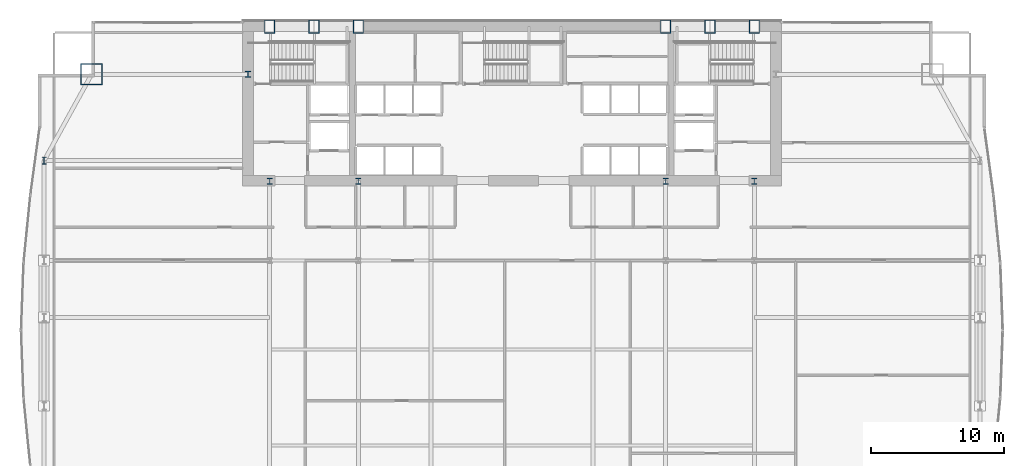
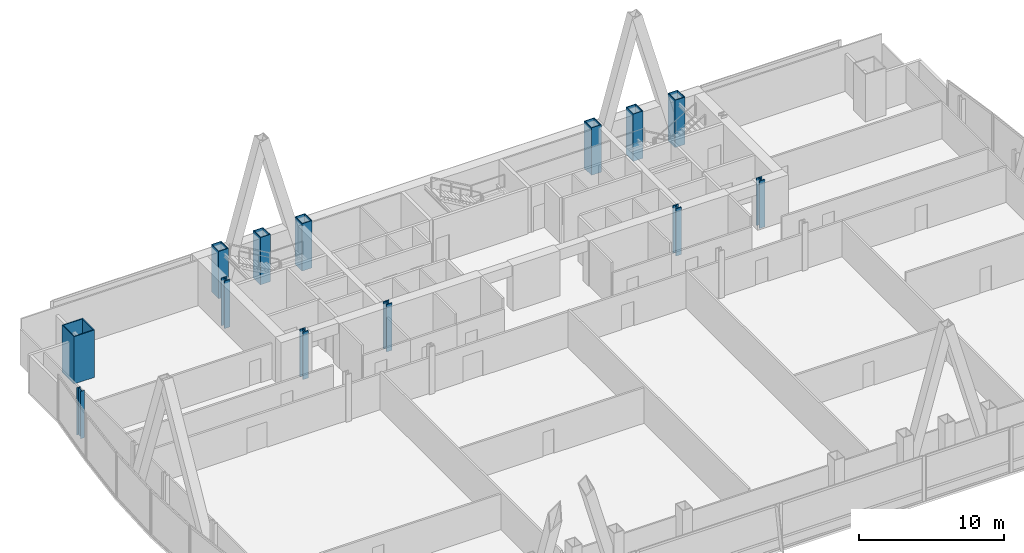
# One storey, part 3 of 35: 13 columns.
"""IFC4 building model written with IfcOpenShell, lengths in metres."""

from ifc_helpers import new_model, si_unit, direction, frame, origin, origin_2d, place, context, subcontext, project, spatial, hollow_rectangle, i_section, extrude, material, material_profile, profile_set, type_object, element, save


model = new_model("IFC4")

# Units and contexts
model_context = context("Model", 3, precision=1e-05, world=origin(), true_north=direction((0.0, 1.0)))
body_context = subcontext(model_context, "Body", "Model", "MODEL_VIEW")
ifc_project = project(units=[si_unit("LENGTHUNIT", "METRE"), si_unit("AREAUNIT", "SQUARE_METRE"), si_unit("VOLUMEUNIT", "CUBIC_METRE"), si_unit("PLANEANGLEUNIT", "RADIAN"), si_unit("MASSUNIT", "GRAM", prefix="KILO")], contexts=[model_context])

# Site, building, storey
site_placement = place(None, origin())
site = spatial("IfcSite", under=ifc_project, at=site_placement, CompositionType="ELEMENT")
building_placement = place(site_placement, origin())
building = spatial("IfcBuilding", under=site, at=building_placement, Name="Khoronbel Lancet Exchange", CompositionType="ELEMENT")
storey_placement = place(building_placement, frame((0.0, 0.0, 37.800048828125)))
storey = spatial("IfcBuildingStorey", under=building, at=storey_placement, Name="L08", CompositionType="ELEMENT", Elevation=37.800048828125)

# Columns
ifc_material_1 = material(Name="Steel S460", Category="steel")
ifc_material_profile_1 = material_profile(ifc_material_1, hollow_rectangle(XDim=0.800048828125, YDim=1.0, WallThickness=0.054931640625, at=origin_2d()), Name="BOX 1000x800x55")
ifc_profile_set_1 = profile_set([ifc_material_profile_1], Name="Steel S460")
column_type_1 = type_object("IfcColumnType", Name="COL-EC1", PredefinedType="COLUMN", material=ifc_profile_set_1)
for number, where, z_axis, x_axis, name in (
    (1, (18.22509765625, 53.280029296875, 0.0), (0.0, 0.0, 1.0), (1.0, 0.0, 0.0), "Structural column NC-W1 L08"),
    (2, (21.5625, 53.280029296875, 0.0), (0.0, 0.0, 1.0), (1.0, 0.0, 0.0), "Structural column NC-WM L08"),
    (3, (24.89990234375, 53.280029296875, 0.0), (0.0, 0.0, 1.0), (1.0, 0.0, 0.0), "Structural column NC-W2 L08"),
    (4, (48.0, 53.280029296875, 0.0), (0.0, 0.0, 1.0), (1.0, 0.0, 0.0), "Structural column NC-E1 L08"),
    (5, (51.33740234375, 53.280029296875, 0.0), (0.0, 0.0, 1.0), (1.0, 0.0, 0.0), "Structural column NC-EM L08"),
    (6, (54.675048828125, 53.280029296875, 0.0), (0.0, 0.0, 1.0), (1.0, 0.0, 0.0), "Structural column NC-E2 L08"),
):
    element("IfcColumn", number, at=place(storey_placement, frame(where, z_axis=z_axis, x_axis=x_axis)), inside=storey, type_object=column_type_1, Name=name, PredefinedType="COLUMN", context=body_context, shape_type="SweptSolid", body=[
        extrude(hollow_rectangle(XDim=0.800048828125, YDim=1.0, WallThickness=0.054931640625, at=origin_2d()), origin(), (0.0, 0.0, 1.0), 4.0),
    ])
ifc_material_profile_2 = material_profile(ifc_material_1, i_section(OverallWidth=0.424072265625, OverallDepth=0.47412109375, WebThickness=0.047607421875, FlangeThickness=0.076904296875, at=origin_2d()), Name="HD 400x634")
ifc_profile_set_2 = profile_set([ifc_material_profile_2], Name="Steel S460")
column_type_2 = type_object("IfcColumnType", Name="COL-IC1", PredefinedType="COLUMN", material=ifc_profile_set_2)
for number, where, z_axis, x_axis, name in (
    (7, (16.60009765625, 49.699951171875, 0.0), (0.0, 0.0, 1.0), (1.0, 0.0, 0.0), "Core-flank plumb transfer column CFW L08"),
    (8, (18.22509765625, 41.64990234375, 0.0), (0.0, 0.0, 1.0), (1.0, 0.0, 0.0), "Core-embedded steel column CTC1 L08"),
    (9, (24.89990234375, 41.64990234375, 0.0), (0.0, 0.0, 1.0), (1.0, 0.0, 0.0), "Core-embedded steel column CTC2 L08"),
    (10, (48.0, 41.64990234375, 0.0), (0.0, 0.0, 1.0), (1.0, 0.0, 0.0), "Core-embedded steel column CTC3 L08"),
    (11, (54.675048828125, 41.64990234375, 0.0), (0.0, 0.0, 1.0), (1.0, 0.0, 0.0), "Core-embedded steel column CTC4 L08"),
):
    element("IfcColumn", number, at=place(storey_placement, frame(where, z_axis=z_axis, x_axis=x_axis)), inside=storey, type_object=column_type_2, Name=name, PredefinedType="COLUMN", context=body_context, shape_type="SweptSolid", body=[
        extrude(i_section(OverallWidth=0.424072265625, OverallDepth=0.47412109375, WebThickness=0.047607421875, FlangeThickness=0.076904296875, at=origin_2d()), origin(), (0.0, 0.0, 1.0), 4.0),
    ])
ifc_material_2 = material(Name="Steel S355", Category="steel")
ifc_material_profile_3 = material_profile(ifc_material_2, i_section(OverallWidth=0.300048828125, OverallDepth=0.550048828125, WebThickness=0.014892578125, FlangeThickness=0.029052734375, at=origin_2d()), Name="HEB 550")
ifc_profile_set_3 = profile_set([ifc_material_profile_3], Name="Steel S355")
column_type_3 = type_object("IfcColumnType", Name="COL-LC1", PredefinedType="COLUMN", material=ifc_profile_set_3)
column_1_placement = place(storey_placement, frame((1.27001953125, 43.199951171875, 0.0), z_axis=(0.0, 0.0, 1.0), x_axis=(1.0, 0.0, 0.0)))
element("IfcColumn", 12, at=column_1_placement, inside=storey, type_object=column_type_3, Name="Structural column WC-4 L08", PredefinedType="COLUMN", context=body_context, shape_type="SweptSolid", body=[
    extrude(i_section(OverallWidth=0.300048828125, OverallDepth=0.550048828125, WebThickness=0.014892578125, FlangeThickness=0.029052734375, at=origin_2d()), origin(), (0.0, 0.0, 1.0), 4.0),
])
ifc_material_profile_4 = material_profile(ifc_material_1, hollow_rectangle(XDim=1.64990234375, YDim=1.64990234375, WallThickness=0.074951171875, at=origin_2d()), Name="BOX 1650x1650x75")
ifc_profile_set_4 = profile_set([ifc_material_profile_4], Name="Steel S460")
column_type_4 = type_object("IfcColumnType", Name="COL-MC2", PredefinedType="COLUMN", material=ifc_profile_set_4)
column_2_placement = place(storey_placement, frame((4.85009765625, 49.699951171875, 0.0), z_axis=(0.0, 0.0, 1.0), x_axis=(1.0, 0.0, 0.0)))
element("IfcColumn", 13, at=column_2_placement, inside=storey, type_object=column_type_4, Name="Structural column MC-NW L08", PredefinedType="COLUMN", context=body_context, shape_type="SweptSolid", body=[
    extrude(hollow_rectangle(XDim=1.64990234375, YDim=1.64990234375, WallThickness=0.074951171875, at=origin_2d()), origin(), (0.0, 0.0, 1.0), 4.0),
])

save(model, "model.ifc")
